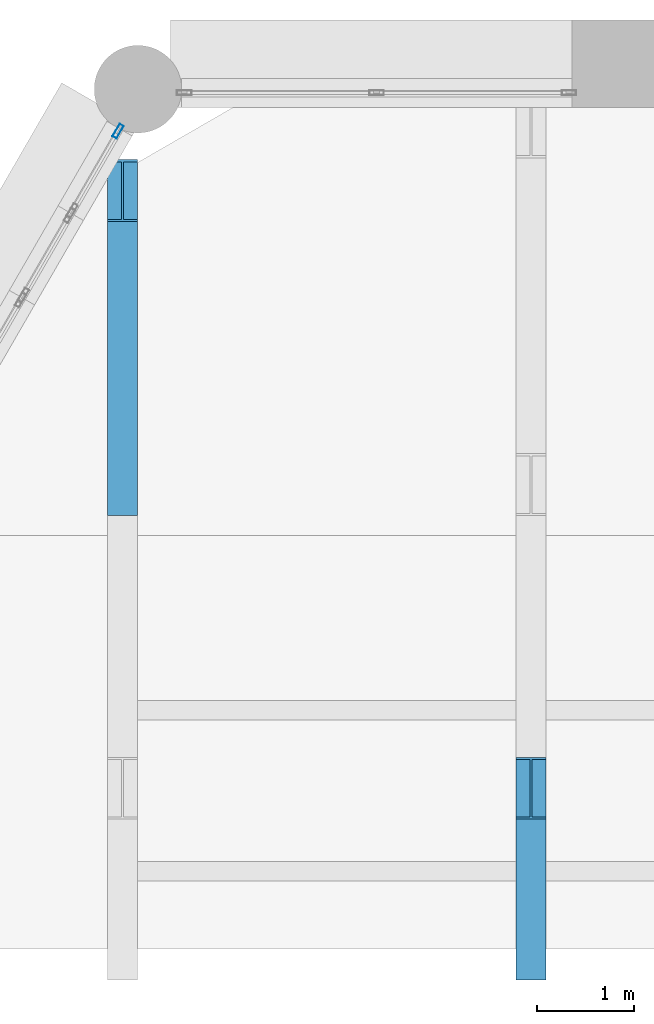
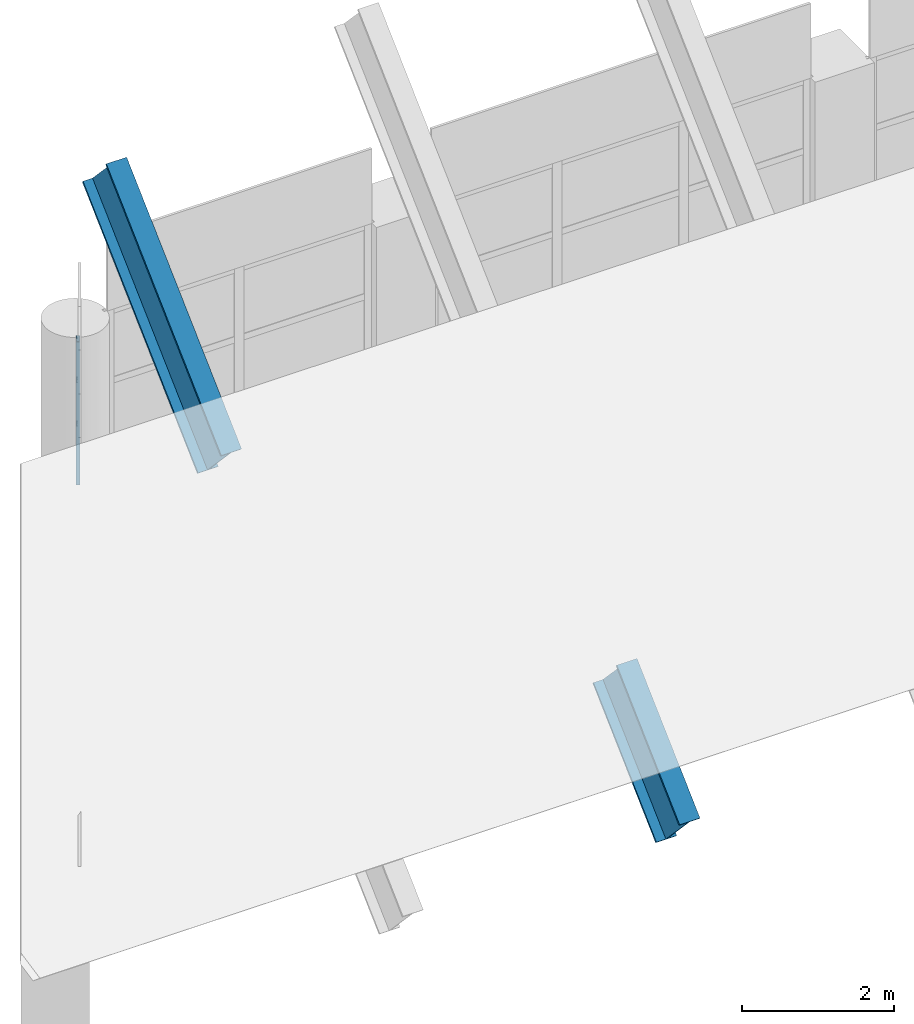
# One storey, part 3 of 11: 3 members, 1 element without a shape of its own.
"""IFC4 building model written with IfcOpenShell, lengths in metres."""

from ifc_helpers import new_model, si_unit, direction, frame, origin, origin_2d, place, context, subcontext, project, spatial, hollow_rectangle, i_section, extrude, material, material_profile, profile_set, type_object, element, aggregate, save


model = new_model("IFC4")

# Units and contexts
model_context = context("Model", 3, precision=1e-05, world=origin(), true_north=direction((0.0, 1.0)))
body_context = subcontext(model_context, "Body", "Model", "MODEL_VIEW")
ifc_project = project(units=[si_unit("LENGTHUNIT", "METRE"), si_unit("AREAUNIT", "SQUARE_METRE"), si_unit("VOLUMEUNIT", "CUBIC_METRE"), si_unit("PLANEANGLEUNIT", "RADIAN"), si_unit("MASSUNIT", "GRAM", prefix="KILO")], contexts=[model_context])

# Site, building, storey
site_placement = place(None, origin())
site = spatial("IfcSite", under=ifc_project, at=site_placement, CompositionType="ELEMENT")
building_placement = place(site_placement, origin())
building = spatial("IfcBuilding", under=site, at=building_placement, Name="Ostrander Bayou Hotel Tower", CompositionType="ELEMENT")
storey_placement = place(building_placement, frame((0.0, 0.0, 297.5)))
storey = spatial("IfcBuildingStorey", under=building, at=storey_placement, Name="Roof 73", CompositionType="ELEMENT", Elevation=297.5)

# Members
ifc_material_1 = material(Name="Steel ASTM A992", Category="steel")
ifc_material_profile_1 = material_profile(ifc_material_1, i_section(OverallWidth=0.307861328125, OverallDepth=0.9267578125, WebThickness=0.01953125, FlangeThickness=0.031982421875, at=origin_2d()))
ifc_profile_set_1 = profile_set([ifc_material_profile_1], Name="Steel ASTM A992")
member_type_1 = type_object("IfcMemberType", Name="CR1 crown rafter W36x194", PredefinedType="RAFTER", material=ifc_profile_set_1)
member_1_placement = place(storey_placement, frame((-8.39990234375, 12.52197265625, 3.51953125), z_axis=(0.0, 0.727918700584, 0.685663449033), x_axis=(-1.0, 0.0, 0.0)))
element("IfcMember", 1, at=member_1_placement, inside=storey, type_object=member_type_1, Name="CR1 R1-9", PredefinedType="RAFTER", context=body_context, shape_type="SweptSolid", body=[
    extrude(i_section(OverallWidth=0.307861328125, OverallDepth=0.9267578125, WebThickness=0.01953125, FlangeThickness=0.031982421875, at=origin_2d()), origin(), (0.0, 0.0, 1.0), 4.154296875),
])
member_2_placement = place(storey_placement, frame((-4.199951171875, 7.7451171875, -0.979736328125), z_axis=(0.0, 0.727894103039, 0.685689561508), x_axis=(-1.0, 0.0, 0.0)))
element("IfcMember", 2, at=member_2_placement, inside=storey, type_object=member_type_1, Name="CR1 R2-7", PredefinedType="RAFTER", context=body_context, shape_type="SweptSolid", body=[
    extrude(i_section(OverallWidth=0.307861328125, OverallDepth=0.9267578125, WebThickness=0.01953125, FlangeThickness=0.031982421875, at=origin_2d()), origin(), (0.0, 0.0, 1.0), 2.2734375),
])

# Curtain wall, member
ifc_material_2 = material(Name="Aluminium and clear glass", Category="aluminium")
curtain_wall_type = type_object("IfcCurtainWallType", Name="CW-CROWN glazed wall", PredefinedType="NOTDEFINED", material=ifc_material_2)
curtain_wall_placement = place(storey_placement, origin())
curtain_wall = element("IfcCurtainWall", 3, at=curtain_wall_placement, inside=storey, type_object=curtain_wall_type, Name="CW-CROWN L73:NW-1-1", PredefinedType="NOTDEFINED")
ifc_material_3 = material(Name="Aluminium", Category="aluminium")
ifc_material_profile_2 = material_profile(ifc_material_3, hollow_rectangle(XDim=0.050048828125, YDim=0.14990234375, WallThickness=0.00390625, at=origin_2d()))
ifc_profile_set_2 = profile_set([ifc_material_profile_2], Name="Aluminium")
member_type_2 = type_object("IfcMemberType", Name="CW-CR mullion 50 x 150 mm", PredefinedType="MULLION", material=ifc_profile_set_2)
member_3_placement = place(storey_placement, frame((-8.447021484375, 16.156494140625, 1.0), z_axis=(0.0, 0.0, 1.0), x_axis=(0.866026229865, -0.499998569184, 0.0)))
member_3 = element("IfcMember", 4, at=member_3_placement, type_object=member_type_2, Name="CW-CROWN mullion 1", PredefinedType="MULLION", context=body_context, shape_type="SweptSolid", body=[
    extrude(hollow_rectangle(XDim=0.050048828125, YDim=0.14990234375, WallThickness=0.00390625, at=origin_2d()), origin(), (0.0, 0.0, 1.0), 2.300048828125),
])
aggregate(curtain_wall, [member_3])

save(model, "model.ifc")
